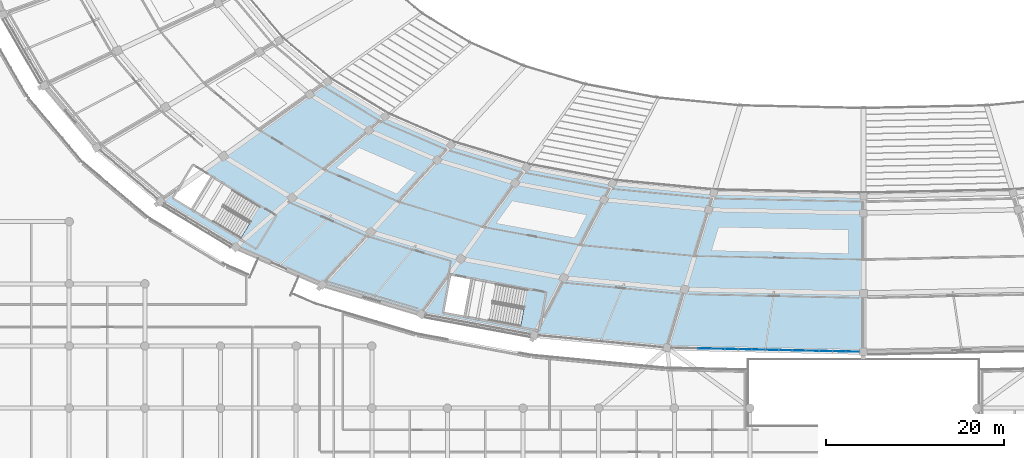
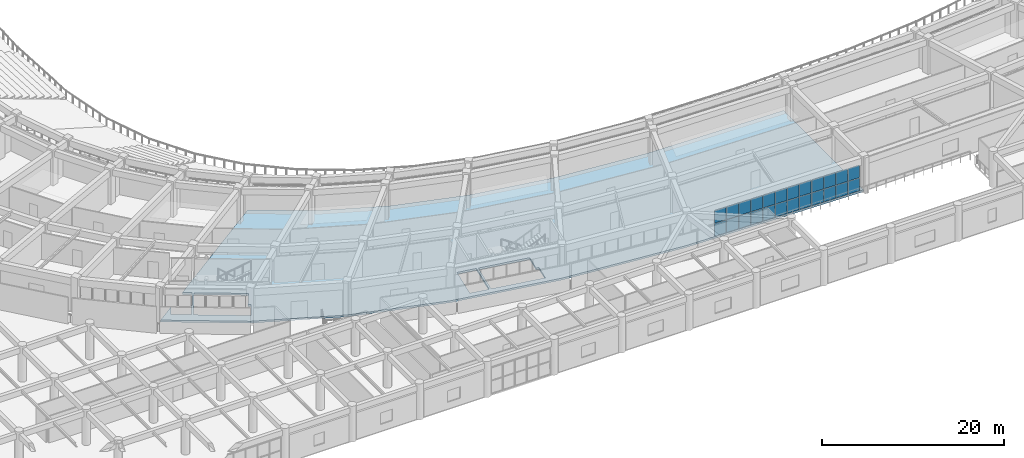
# One storey, part 79 of 152: 24 plates, 1 slab, 1 element without a shape of its own.
"""IFC4 building model written with IfcOpenShell, lengths in metres."""

import ifcopenshell
import ifcopenshell.guid

model = None  # the IFC model being written
_history = None  # IfcOwnerHistory: only IFC2X3 demands one
_inside = {}  # id of a spatial element -> (the spatial element, [elements in it])
_under = {}  # id of a project, library or spatial element -> (it, [spatial elements below it])
_declared = {}  # id of a project -> (the project, [libraries it declares])
_typed = {}  # id of a type object -> (the type object, [elements of that type])
_made_of = {}  # id of a material, layer set ... -> (it, [elements and type objects made of it])


def new_model(schema):
    """Start an empty IFC model of exactly this schema.

    Asked for "IFC4X3", IfcOpenShell would pick the latest addendum, in which some entities
    have other attributes; the version numbers below select the first issue.
    IFC2X3 requires an IfcOwnerHistory on every rooted entity: one is made here for all.
    """
    global model, _history
    if schema == "IFC4X3":
        model = ifcopenshell.file(schema_version=(4, 3, 0, 0))
    else:
        model = ifcopenshell.file(schema=schema)
    _inside.clear()
    _under.clear()
    _declared.clear()
    _typed.clear()
    _made_of.clear()
    _history = None
    if model.schema == "IFC2X3":
        org = make("IfcOrganization", Name="unknown")
        user = make(
            "IfcPersonAndOrganization",
            ThePerson=make("IfcPerson", FamilyName="unknown"),
            TheOrganization=org,
        )
        app = make(
            "IfcApplication",
            ApplicationDeveloper=org,
            Version="unknown",
            ApplicationFullName="unknown",
            ApplicationIdentifier="unknown",
        )
        _history = make(
            "IfcOwnerHistory",
            OwningUser=user,
            OwningApplication=app,
            ChangeAction="ADDED",
            CreationDate=0,
        )
    return model


def make(cls, **values):
    """One entity of the class cls with the attributes given. An attribute that is None is left unset."""
    return model.create_entity(
        cls, **{name: value for name, value in values.items() if value is not None}
    )


def rooted(cls, **values):
    """An entity with a GlobalId (a new one), such as an element, a storey or a relation."""
    return make(cls, GlobalId=ifcopenshell.guid.new(), OwnerHistory=_history, **values)


def si_unit(unit_type, name, prefix=None):
    """IfcSIUnit, for example si_unit("LENGTHUNIT", "METRE", prefix="MILLI")."""
    return make("IfcSIUnit", UnitType=unit_type, Prefix=prefix, Name=name)


def assignment(units):
    """IfcUnitAssignment: the units of a project."""
    return None if units is None else make("IfcUnitAssignment", Units=units)


def point(xyz):
    """IfcCartesianPoint."""
    return None if xyz is None else make("IfcCartesianPoint", Coordinates=xyz)


def direction(xyz):
    """IfcDirection."""
    return None if xyz is None else make("IfcDirection", DirectionRatios=xyz)


def frame(location, z_axis=None, x_axis=None):
    """IfcAxis2Placement3D, a coordinate frame: its origin and axes. An axis left out is left unset."""
    return make(
        "IfcAxis2Placement3D",
        Location=point(location),
        Axis=direction(z_axis),
        RefDirection=direction(x_axis),
    )


def frame_2d(location, x_axis=None):
    """IfcAxis2Placement2D, a coordinate frame in the plane: its origin and x axis."""
    return make(
        "IfcAxis2Placement2D", Location=point(location), RefDirection=direction(x_axis)
    )


def origin():
    """The frame at (0, 0, 0) with its axes left unset."""
    return frame((0.0, 0.0, 0.0))


def origin_2d():
    """The frame at (0, 0) in the plane with its x axis left unset."""
    return frame_2d((0.0, 0.0))


def place(relative_to, where):
    """IfcLocalPlacement: puts the frame where relative to a parent placement (None: the world)."""
    return make(
        "IfcLocalPlacement", PlacementRelTo=relative_to, RelativePlacement=where
    )


def context(
    kind, dimensions, precision=None, world=None, true_north=None, identifier=None
):
    """IfcGeometricRepresentationContext, for example the 3D "Model" context."""
    return make(
        "IfcGeometricRepresentationContext",
        ContextIdentifier=identifier,
        ContextType=kind,
        CoordinateSpaceDimension=dimensions,
        Precision=precision,
        WorldCoordinateSystem=world,
        TrueNorth=true_north,
    )


def subcontext(parent, identifier, kind, view, scale=None):
    """IfcGeometricRepresentationSubContext, for example "Body" below "Model"."""
    return make(
        "IfcGeometricRepresentationSubContext",
        ContextIdentifier=identifier,
        ContextType=kind,
        ParentContext=parent,
        TargetScale=scale,
        TargetView=view,
    )


def project(units=None, contexts=None):
    """IfcProject with its units and contexts."""
    return rooted(
        "IfcProject",
        Name="project",
        RepresentationContexts=contexts,
        UnitsInContext=assignment(units),
    )


def spatial(cls, under=None, at=None, **own):
    """A site, building, storey or space (cls), placed at a placement, below another one or the project."""
    s = rooted(cls, ObjectPlacement=at, **own)
    if under is not None:
        _under.setdefault(under.id(), (under, []))[1].append(s)
    return s


def polyline(points):
    """IfcPolyline through the points."""
    return make("IfcPolyline", Points=[point(p) for p in points])


def profile(cls, at=None, kind="AREA", **sizes):
    """A parametric profile (cls). Its sizes go by their IFC names, for example OverallWidth=200.0."""
    return make(cls, ProfileType=kind, Position=at, **sizes)


def rectangle(**sizes):
    """IfcRectangleProfileDef."""
    return profile("IfcRectangleProfileDef", **sizes)


def outline(outer, holes=None, kind="AREA"):
    """IfcArbitraryClosedProfileDef: a profile drawn as a closed curve; with holes, ...WithVoids."""
    if holes is None:
        return make("IfcArbitraryClosedProfileDef", ProfileType=kind, OuterCurve=outer)
    return make(
        "IfcArbitraryProfileDefWithVoids",
        ProfileType=kind,
        OuterCurve=outer,
        InnerCurves=holes,
    )


def extrude(swept, where, along, depth):
    """IfcExtrudedAreaSolid: the profile swept, set in the frame where, extruded along a direction by depth."""
    return make(
        "IfcExtrudedAreaSolid",
        SweptArea=swept,
        Position=where,
        ExtrudedDirection=direction(along),
        Depth=depth,
    )


def shape(context_of_items, identifier, shape_type, items):
    """IfcShapeRepresentation: the items that make up one representation, for example the "Body"."""
    return make(
        "IfcShapeRepresentation",
        ContextOfItems=context_of_items,
        RepresentationIdentifier=identifier,
        RepresentationType=shape_type,
        Items=items,
    )


def material(Name=None, Category=None):
    """IfcMaterial."""
    return make("IfcMaterial", Name=Name, Category=Category)


def layer(
    of_material, thickness, ventilated=None, Name=None, Category=None, Priority=None
):
    """IfcMaterialLayer: one layer of a wall or slab, of a material (None: an air gap)."""
    return make(
        "IfcMaterialLayer",
        Material=of_material,
        LayerThickness=thickness,
        IsVentilated=ventilated,
        Name=Name,
        Category=Category,
        Priority=Priority,
    )


def layer_set(layers, Name=None):
    """IfcMaterialLayerSet."""
    return make("IfcMaterialLayerSet", MaterialLayers=layers, LayerSetName=Name)


def made_of(thing, what):
    """Note that an element or type object is made of a material, layer set ...; save() writes the relation."""
    if what is not None:
        _made_of.setdefault(what.id(), (what, []))[1].append(thing)
    return thing


def type_object(cls, material=None, **own):
    """A type object (cls), such as IfcWallType, which elements share."""
    return made_of(rooted(cls, **own), material)


def element(
    cls,
    number,
    at=None,
    inside=None,
    cuts=None,
    type_object=None,
    material=None,
    context=None,
    identifier="Body",
    shape_type=None,
    held_by="IfcProductDefinitionShape",
    body=None,
    shapes=None,
    **own,
):
    """One element of the class cls, such as IfcWall. Its Tag is "e" and its number.

    at: its placement. inside: the storey or other place that contains it. cuts: it is an
    opening in that element (IfcRelVoidsElement). A single representation is given by context,
    identifier, shape_type and body (its items); several are given by shapes. held_by: the class
    of the entity that holds the representations. save() writes the other relations.
    """
    e = rooted(cls, Tag="e%d" % number, ObjectPlacement=at, **own)
    if body is not None:
        shapes = [shape(context, identifier, shape_type, body)]
    if shapes is not None:
        e.Representation = make(held_by, Representations=shapes)
    if inside is not None:
        _inside.setdefault(inside.id(), (inside, []))[1].append(e)
    if cuts is not None:
        rooted(
            "IfcRelVoidsElement", RelatingBuildingElement=cuts, RelatedOpeningElement=e
        )
    if type_object is not None:
        _typed.setdefault(type_object.id(), (type_object, []))[1].append(e)
    return made_of(e, material)


def aggregate(whole, parts):
    """IfcRelAggregates: a whole, such as a stair, and the parts it consists of."""
    return rooted("IfcRelAggregates", RelatingObject=whole, RelatedObjects=parts)


def save(model, path):
    """Write the relations noted so far, then the file.

    IfcRelAggregates (storeys below a building ...), IfcRelContainedInSpatialStructure (elements
    in a storey), IfcRelDefinesByType, IfcRelAssociatesMaterial and IfcRelDeclares: one each for
    every whole, place, type object, material and project.
    """
    for whole, parts in _under.values():
        aggregate(whole, parts)
    for where, things in _inside.values():
        rooted(
            "IfcRelContainedInSpatialStructure",
            RelatedElements=things,
            RelatingStructure=where,
        )
    for kind, things in _typed.values():
        rooted("IfcRelDefinesByType", RelatedObjects=things, RelatingType=kind)
    for what, things in _made_of.values():
        rooted("IfcRelAssociatesMaterial", RelatedObjects=things, RelatingMaterial=what)
    for by, libraries in _declared.values():
        rooted("IfcRelDeclares", RelatingContext=by, RelatedDefinitions=libraries)
    model.write(path)


model = new_model("IFC4")

# Units and contexts
model_context = context("Model", 3, precision=1e-05, world=origin(), true_north=direction((0.0, 1.0)))
body_context = subcontext(model_context, "Body", "Model", "MODEL_VIEW")
ifc_project = project(units=[si_unit("LENGTHUNIT", "METRE"), si_unit("AREAUNIT", "SQUARE_METRE"), si_unit("VOLUMEUNIT", "CUBIC_METRE"), si_unit("PLANEANGLEUNIT", "RADIAN"), si_unit("MASSUNIT", "GRAM", prefix="KILO")], contexts=[model_context])

# Site, building, storey
site_placement = place(None, origin())
site = spatial("IfcSite", under=ifc_project, at=site_placement, CompositionType="ELEMENT")
building_placement = place(site_placement, origin())
building = spatial("IfcBuilding", under=site, at=building_placement, Name="Mphavela Belvedere Stadium", CompositionType="ELEMENT")
storey_placement = place(building_placement, frame((0.0, 0.0, 5.39990234375)))
storey = spatial("IfcBuildingStorey", under=building, at=storey_placement, Name="L01", CompositionType="ELEMENT", Elevation=5.39990234375)

# Curtain wall, plates
ifc_material_1 = material(Name="Anodised bronze unitised curtain wall framing")
ifc_layer_1 = layer(ifc_material_1, 0.195068359375)
ifc_layer_set_1 = layer_set([ifc_layer_1], Name="Anodised bronze unitised curtain wall framing")
curtain_wall_type = type_object("IfcCurtainWallType", Name="CW-UNIT-04", PredefinedType="USERDEFINED", material=ifc_layer_set_1)
curtain_wall_placement = place(storey_placement, origin())
curtain_wall = element("IfcCurtainWall", 1, at=curtain_wall_placement, inside=storey, type_object=curtain_wall_type, Name="Belvedere colonnade curtain wall L01-36", ObjectType="UNITISED CURTAIN WALL", PredefinedType="USERDEFINED")
ifc_material_2 = material(Name="Solar-control double glazing", Category="glass")
ifc_layer_2 = layer(ifc_material_2, 0.031982421875)
ifc_layer_set_2 = layer_set([ifc_layer_2], Name="Solar-control double glazing")
plate_type = type_object("IfcPlateType", Name="CWP-SOLAR-GLASS", PredefinedType="CURTAIN_PANEL", material=ifc_layer_set_2)
plate_1_placement = place(storey_placement, frame((97.106201171875, 13.71533203125, 0.06005859375), z_axis=(0.0, 0.0, 1.0), x_axis=(0.999768226394, -0.021528899038, 0.0)))
plate_1 = element("IfcPlate", 2, at=plate_1_placement, type_object=plate_type, Name="CW-04 panel 3.1", PredefinedType="CURTAIN_PANEL", context=body_context, shape_type="SweptSolid", body=[
    extrude(rectangle(XDim=1.45458984375, YDim=0.031982421875, at=origin_2d()), origin(), (0.0, 0.0, 1.0), 1.695068359375),
])
plate_2_placement = place(storey_placement, frame((97.106201171875, 13.71533203125, 1.81494140625), z_axis=(0.0, 0.0, 1.0), x_axis=(0.999768226394, -0.021528899038, 0.0)))
plate_2 = element("IfcPlate", 3, at=plate_2_placement, type_object=plate_type, Name="CW-04 panel 3.2", PredefinedType="CURTAIN_PANEL", context=body_context, shape_type="SweptSolid", body=[
    extrude(rectangle(XDim=1.45458984375, YDim=0.031982421875, at=origin_2d()), origin(), (0.0, 0.0, 1.0), 1.695068359375),
])
plate_3_placement = place(storey_placement, frame((98.62548828125, 13.6826171875, 0.06005859375), z_axis=(0.0, 0.0, 1.0), x_axis=(0.999768226394, -0.021528899038, 0.0)))
plate_3 = element("IfcPlate", 4, at=plate_3_placement, type_object=plate_type, Name="CW-04 panel 4.1", PredefinedType="CURTAIN_PANEL", context=body_context, shape_type="SweptSolid", body=[
    extrude(rectangle(XDim=1.45458984375, YDim=0.031982421875, at=origin_2d()), origin(), (0.0, 0.0, 1.0), 1.695068359375),
])
plate_4_placement = place(storey_placement, frame((98.62548828125, 13.6826171875, 1.81494140625), z_axis=(0.0, 0.0, 1.0), x_axis=(0.999768226394, -0.021528899038, 0.0)))
plate_4 = element("IfcPlate", 5, at=plate_4_placement, type_object=plate_type, Name="CW-04 panel 4.2", PredefinedType="CURTAIN_PANEL", context=body_context, shape_type="SweptSolid", body=[
    extrude(rectangle(XDim=1.45458984375, YDim=0.031982421875, at=origin_2d()), origin(), (0.0, 0.0, 1.0), 1.695068359375),
])
plate_5_placement = place(storey_placement, frame((100.144775390625, 13.64990234375, 0.06005859375), z_axis=(0.0, 0.0, 1.0), x_axis=(0.999768226394, -0.021528899038, 0.0)))
plate_5 = element("IfcPlate", 6, at=plate_5_placement, type_object=plate_type, Name="CW-04 panel 5.1", PredefinedType="CURTAIN_PANEL", context=body_context, shape_type="SweptSolid", body=[
    extrude(rectangle(XDim=1.45458984375, YDim=0.031982421875, at=origin_2d()), origin(), (0.0, 0.0, 1.0), 1.695068359375),
])
plate_6_placement = place(storey_placement, frame((100.144775390625, 13.64990234375, 1.81494140625), z_axis=(0.0, 0.0, 1.0), x_axis=(0.999768226394, -0.021528899038, 0.0)))
plate_6 = element("IfcPlate", 7, at=plate_6_placement, type_object=plate_type, Name="CW-04 panel 5.2", PredefinedType="CURTAIN_PANEL", context=body_context, shape_type="SweptSolid", body=[
    extrude(rectangle(XDim=1.45458984375, YDim=0.031982421875, at=origin_2d()), origin(), (0.0, 0.0, 1.0), 1.695068359375),
])
plate_7_placement = place(storey_placement, frame((101.663818359375, 13.6171875, 0.06005859375), z_axis=(0.0, 0.0, 1.0), x_axis=(0.999768226394, -0.021528899038, 0.0)))
plate_7 = element("IfcPlate", 8, at=plate_7_placement, type_object=plate_type, Name="CW-04 panel 6.1", PredefinedType="CURTAIN_PANEL", context=body_context, shape_type="SweptSolid", body=[
    extrude(rectangle(XDim=1.45458984375, YDim=0.031982421875, at=origin_2d()), origin(), (0.0, 0.0, 1.0), 1.695068359375),
])
plate_8_placement = place(storey_placement, frame((101.663818359375, 13.6171875, 1.81494140625), z_axis=(0.0, 0.0, 1.0), x_axis=(0.999768226394, -0.021528899038, 0.0)))
plate_8 = element("IfcPlate", 9, at=plate_8_placement, type_object=plate_type, Name="CW-04 panel 6.2", PredefinedType="CURTAIN_PANEL", context=body_context, shape_type="SweptSolid", body=[
    extrude(rectangle(XDim=1.45458984375, YDim=0.031982421875, at=origin_2d()), origin(), (0.0, 0.0, 1.0), 1.695068359375),
])
plate_9_placement = place(storey_placement, frame((103.18310546875, 13.58447265625, 0.06005859375), z_axis=(0.0, 0.0, 1.0), x_axis=(0.999768226394, -0.021528899038, 0.0)))
plate_9 = element("IfcPlate", 10, at=plate_9_placement, type_object=plate_type, Name="CW-04 panel 7.1", PredefinedType="CURTAIN_PANEL", context=body_context, shape_type="SweptSolid", body=[
    extrude(rectangle(XDim=1.45458984375, YDim=0.031982421875, at=origin_2d()), origin(), (0.0, 0.0, 1.0), 1.695068359375),
])
plate_10_placement = place(storey_placement, frame((103.18310546875, 13.58447265625, 1.81494140625), z_axis=(0.0, 0.0, 1.0), x_axis=(0.999768226394, -0.021528899038, 0.0)))
plate_10 = element("IfcPlate", 11, at=plate_10_placement, type_object=plate_type, Name="CW-04 panel 7.2", PredefinedType="CURTAIN_PANEL", context=body_context, shape_type="SweptSolid", body=[
    extrude(rectangle(XDim=1.45458984375, YDim=0.031982421875, at=origin_2d()), origin(), (0.0, 0.0, 1.0), 1.695068359375),
])
plate_11_placement = place(storey_placement, frame((104.702392578125, 13.5517578125, 0.06005859375), z_axis=(0.0, 0.0, 1.0), x_axis=(0.999768226394, -0.021528899038, 0.0)))
plate_11 = element("IfcPlate", 12, at=plate_11_placement, type_object=plate_type, Name="CW-04 panel 8.1", PredefinedType="CURTAIN_PANEL", context=body_context, shape_type="SweptSolid", body=[
    extrude(rectangle(XDim=1.45458984375, YDim=0.031982421875, at=origin_2d()), origin(), (0.0, 0.0, 1.0), 1.695068359375),
])
plate_12_placement = place(storey_placement, frame((104.702392578125, 13.5517578125, 1.81494140625), z_axis=(0.0, 0.0, 1.0), x_axis=(0.999768226394, -0.021528899038, 0.0)))
plate_12 = element("IfcPlate", 13, at=plate_12_placement, type_object=plate_type, Name="CW-04 panel 8.2", PredefinedType="CURTAIN_PANEL", context=body_context, shape_type="SweptSolid", body=[
    extrude(rectangle(XDim=1.45458984375, YDim=0.031982421875, at=origin_2d()), origin(), (0.0, 0.0, 1.0), 1.695068359375),
])
plate_13_placement = place(storey_placement, frame((106.221435546875, 13.51904296875, 0.06005859375), z_axis=(0.0, 0.0, 1.0), x_axis=(0.999768226394, -0.021528899038, 0.0)))
plate_13 = element("IfcPlate", 14, at=plate_13_placement, type_object=plate_type, Name="CW-04 panel 9.1", PredefinedType="CURTAIN_PANEL", context=body_context, shape_type="SweptSolid", body=[
    extrude(rectangle(XDim=1.45458984375, YDim=0.031982421875, at=origin_2d()), origin(), (0.0, 0.0, 1.0), 1.695068359375),
])
plate_14_placement = place(storey_placement, frame((106.221435546875, 13.51904296875, 1.81494140625), z_axis=(0.0, 0.0, 1.0), x_axis=(0.999768226394, -0.021528899038, 0.0)))
plate_14 = element("IfcPlate", 15, at=plate_14_placement, type_object=plate_type, Name="CW-04 panel 9.2", PredefinedType="CURTAIN_PANEL", context=body_context, shape_type="SweptSolid", body=[
    extrude(rectangle(XDim=1.45458984375, YDim=0.031982421875, at=origin_2d()), origin(), (0.0, 0.0, 1.0), 1.695068359375),
])
plate_15_placement = place(storey_placement, frame((107.74072265625, 13.486328125, 0.06005859375), z_axis=(0.0, 0.0, 1.0), x_axis=(0.999768226394, -0.021528899038, 0.0)))
plate_15 = element("IfcPlate", 16, at=plate_15_placement, type_object=plate_type, Name="CW-04 panel 10.1", PredefinedType="CURTAIN_PANEL", context=body_context, shape_type="SweptSolid", body=[
    extrude(rectangle(XDim=1.45458984375, YDim=0.031982421875, at=origin_2d()), origin(), (0.0, 0.0, 1.0), 1.695068359375),
])
plate_16_placement = place(storey_placement, frame((107.74072265625, 13.486328125, 1.81494140625), z_axis=(0.0, 0.0, 1.0), x_axis=(0.999768226394, -0.021528899038, 0.0)))
plate_16 = element("IfcPlate", 17, at=plate_16_placement, type_object=plate_type, Name="CW-04 panel 10.2", PredefinedType="CURTAIN_PANEL", context=body_context, shape_type="SweptSolid", body=[
    extrude(rectangle(XDim=1.45458984375, YDim=0.031982421875, at=origin_2d()), origin(), (0.0, 0.0, 1.0), 1.695068359375),
])
plate_17_placement = place(storey_placement, frame((109.260009765625, 13.45361328125, 0.06005859375), z_axis=(0.0, 0.0, 1.0), x_axis=(0.999768226394, -0.021528899038, 0.0)))
plate_17 = element("IfcPlate", 18, at=plate_17_placement, type_object=plate_type, Name="CW-04 panel 11.1", PredefinedType="CURTAIN_PANEL", context=body_context, shape_type="SweptSolid", body=[
    extrude(rectangle(XDim=1.45458984375, YDim=0.031982421875, at=origin_2d()), origin(), (0.0, 0.0, 1.0), 1.695068359375),
])
plate_18_placement = place(storey_placement, frame((109.260009765625, 13.45361328125, 1.81494140625), z_axis=(0.0, 0.0, 1.0), x_axis=(0.999768226394, -0.021528899038, 0.0)))
plate_18 = element("IfcPlate", 19, at=plate_18_placement, type_object=plate_type, Name="CW-04 panel 11.2", PredefinedType="CURTAIN_PANEL", context=body_context, shape_type="SweptSolid", body=[
    extrude(rectangle(XDim=1.45458984375, YDim=0.031982421875, at=origin_2d()), origin(), (0.0, 0.0, 1.0), 1.695068359375),
])
plate_19_placement = place(storey_placement, frame((110.779052734375, 13.4208984375, 0.06005859375), z_axis=(0.0, 0.0, 1.0), x_axis=(0.999768226394, -0.021528899038, 0.0)))
plate_19 = element("IfcPlate", 20, at=plate_19_placement, type_object=plate_type, Name="CW-04 panel 12.1", PredefinedType="CURTAIN_PANEL", context=body_context, shape_type="SweptSolid", body=[
    extrude(rectangle(XDim=1.45458984375, YDim=0.031982421875, at=origin_2d()), origin(), (0.0, 0.0, 1.0), 1.695068359375),
])
plate_20_placement = place(storey_placement, frame((110.779052734375, 13.4208984375, 1.81494140625), z_axis=(0.0, 0.0, 1.0), x_axis=(0.999768226394, -0.021528899038, 0.0)))
plate_20 = element("IfcPlate", 21, at=plate_20_placement, type_object=plate_type, Name="CW-04 panel 12.2", PredefinedType="CURTAIN_PANEL", context=body_context, shape_type="SweptSolid", body=[
    extrude(rectangle(XDim=1.45458984375, YDim=0.031982421875, at=origin_2d()), origin(), (0.0, 0.0, 1.0), 1.695068359375),
])
plate_21_placement = place(storey_placement, frame((112.29833984375, 13.38818359375, 0.06005859375), z_axis=(0.0, 0.0, 1.0), x_axis=(0.999768226394, -0.021528899038, 0.0)))
plate_21 = element("IfcPlate", 22, at=plate_21_placement, type_object=plate_type, Name="CW-04 panel 13.1", PredefinedType="CURTAIN_PANEL", context=body_context, shape_type="SweptSolid", body=[
    extrude(rectangle(XDim=1.45458984375, YDim=0.031982421875, at=origin_2d()), origin(), (0.0, 0.0, 1.0), 1.695068359375),
])
plate_22_placement = place(storey_placement, frame((112.29833984375, 13.38818359375, 1.81494140625), z_axis=(0.0, 0.0, 1.0), x_axis=(0.999768226394, -0.021528899038, 0.0)))
plate_22 = element("IfcPlate", 23, at=plate_22_placement, type_object=plate_type, Name="CW-04 panel 13.2", PredefinedType="CURTAIN_PANEL", context=body_context, shape_type="SweptSolid", body=[
    extrude(rectangle(XDim=1.45458984375, YDim=0.031982421875, at=origin_2d()), origin(), (0.0, 0.0, 1.0), 1.695068359375),
])
plate_23_placement = place(storey_placement, frame((113.80126953125, 13.355712890625, 0.06005859375), z_axis=(0.0, 0.0, 1.0), x_axis=(0.999768226394, -0.021528899038, 0.0)))
plate_23 = element("IfcPlate", 24, at=plate_23_placement, type_object=plate_type, Name="CW-04 panel 14.1", PredefinedType="CURTAIN_PANEL", context=body_context, shape_type="SweptSolid", body=[
    extrude(rectangle(XDim=1.422119140625, YDim=0.031982421875, at=origin_2d()), origin(), (0.0, 0.0, 1.0), 1.695068359375),
])
plate_24_placement = place(storey_placement, frame((113.80126953125, 13.355712890625, 1.81494140625), z_axis=(0.0, 0.0, 1.0), x_axis=(0.999768226394, -0.021528899038, 0.0)))
plate_24 = element("IfcPlate", 25, at=plate_24_placement, type_object=plate_type, Name="CW-04 panel 14.2", PredefinedType="CURTAIN_PANEL", context=body_context, shape_type="SweptSolid", body=[
    extrude(rectangle(XDim=1.422119140625, YDim=0.031982421875, at=origin_2d()), origin(), (0.0, 0.0, 1.0), 1.695068359375),
])
aggregate(curtain_wall, [plate_1, plate_2, plate_3, plate_4, plate_5, plate_6, plate_7, plate_8, plate_9, plate_10, plate_11, plate_12, plate_13, plate_14, plate_15, plate_16, plate_17, plate_18, plate_19, plate_20, plate_21, plate_22, plate_23, plate_24])

# Slab
ifc_material_3 = material(Name="Concrete C40/50", Category="concrete")
ifc_layer_3 = layer(ifc_material_3, 0.25)
ifc_layer_set_3 = layer_set([ifc_layer_3], Name="Concrete C40/50")
slab_type = type_object("IfcSlabType", Name="SLB-CONCOURSE-250", PredefinedType="FLOOR", material=ifc_layer_set_3)
slab_placement = place(storey_placement, frame((0.0, 0.0, -0.25)))
element("IfcSlab", 26, at=slab_placement, inside=storey, type_object=slab_type, Name="Concourse sector slab L01-S6", PredefinedType="FLOOR", context=body_context, shape_type="SweptSolid", body=[
    extrude(outline(polyline([(77.92724609375, 15.232666015625), (65.19873046875, 17.60302734375), (54.0625, 20.90869140625), (44.3037109375, 25.13916015625), (35.844482421875, 30.285400390625), (38.10791015625, 31.9072265625), (37.356689453125, 30.67236328125), (39.28759765625, 29.498046875), (41.465087890625, 33.077880859375), (40.532958984375, 33.644775390625), (54.66259765625, 43.7685546875), (61.11083984375, 39.845703125), (68.549560546875, 36.62109375), (77.038330078125, 34.101318359375), (86.74072265625, 32.294189453125), (98.142822265625, 31.20703125), (115.0, 30.843994140625), (115.0, 13.330078125), (92.885498046875, 13.80615234375), (77.92724609375, 15.232666015625)]), holes=[polyline([(45.943359375, 27.901611328125), (45.65625, 28.076416015625), (46.7451171875, 29.8662109375), (41.653076171875, 32.96337890625), (39.4755859375, 29.383544921875), (44.8544921875, 26.11181640625), (45.943359375, 27.901611328125)]), polyline([(70.2099609375, 17.35888671875), (76.3994140625, 16.206298828125), (76.782958984375, 18.265869140625), (76.45263671875, 18.327392578125), (76.836181640625, 20.386962890625), (70.97705078125, 21.47802734375), (70.2099609375, 17.35888671875)]), polyline([(67.771728515625, 17.81298828125), (69.99365234375, 17.399169921875), (70.7607421875, 21.518310546875), (68.538818359375, 21.93212890625), (67.771728515625, 17.81298828125)])]), origin(), (0.0, 0.0, 1.0), 0.25),
])

save(model, "model.ifc")
